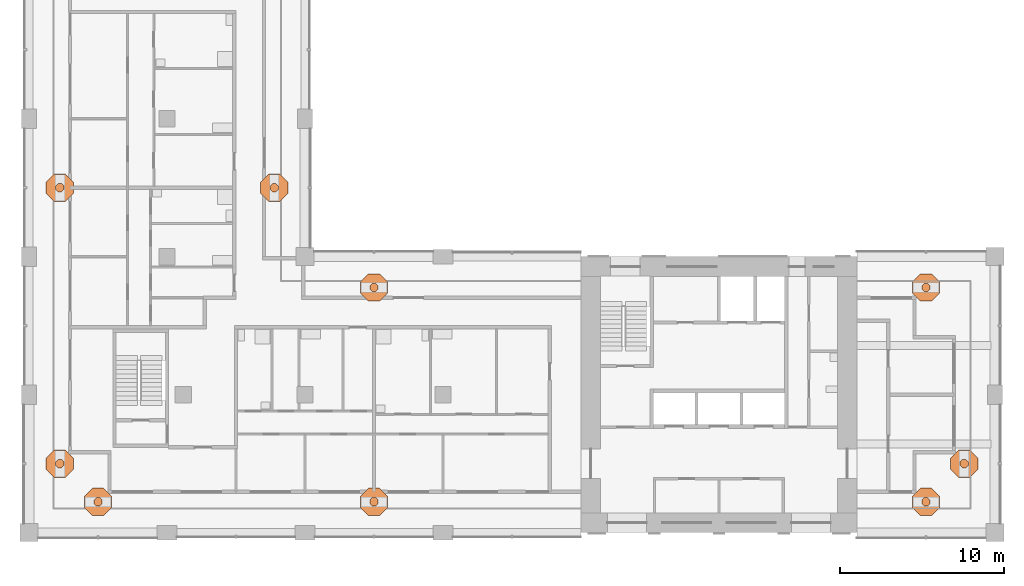
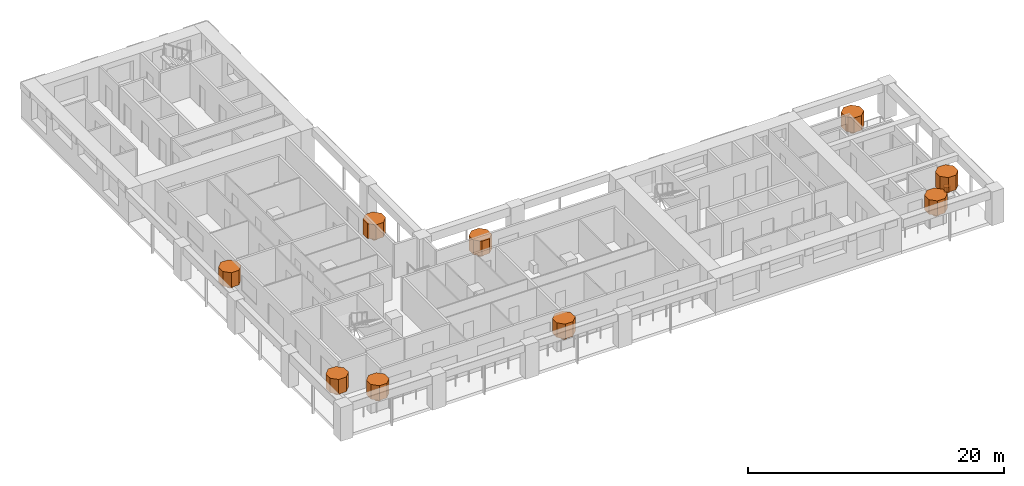
# One storey, part 13 of 13: 18 geographic elements.
"""IFC4 building model written with IfcOpenShell, lengths in metres."""

from ifc_helpers import new_model, si_unit, direction, frame, origin, place, context, subcontext, project, spatial, polyline, outline, extrude, material, element, save


model = new_model("IFC4")

# Units and contexts
model_context = context("Model", 3, precision=1e-05, world=origin(), true_north=direction((0.0, 1.0)))
body_context = subcontext(model_context, "Body", "Model", "MODEL_VIEW")
ifc_project = project(units=[si_unit("LENGTHUNIT", "METRE"), si_unit("AREAUNIT", "SQUARE_METRE"), si_unit("VOLUMEUNIT", "CUBIC_METRE"), si_unit("PLANEANGLEUNIT", "RADIAN"), si_unit("MASSUNIT", "GRAM", prefix="KILO")], contexts=[model_context])

# Site, building, storey
site_placement = place(None, origin())
site = spatial("IfcSite", under=ifc_project, at=site_placement, CompositionType="ELEMENT")
building_placement = place(site_placement, origin())
building = spatial("IfcBuilding", under=site, at=building_placement, Name="Vermilion Gate Residences", CompositionType="ELEMENT")
storey_placement = place(building_placement, frame((0.0, 0.0, 182.699951171875)))
storey = spatial("IfcBuildingStorey", under=building, at=storey_placement, Name="L47", CompositionType="ELEMENT", Elevation=182.699951171875)

# Geographic elements
ifc_material = material(Name="Foliage")
geographic_element_1_placement = place(storey_placement, frame((0.0, 0.0, 0.900146484375)))
element("IfcGeographicElement", 1, at=geographic_element_1_placement, inside=storey, material=ifc_material, Name="Tree (black pine)", ObjectType="TREE", PredefinedType="USERDEFINED", context=body_context, shape_type="SweptSolid", body=[
    extrude(outline(polyline([(12.85400390625, 10.380126953125), (12.705078125, 10.529052734375), (12.494873046875, 10.529052734375), (12.345947265625, 10.380126953125), (12.345947265625, 10.169921875), (12.494873046875, 10.02099609375), (12.705078125, 10.02099609375), (12.85400390625, 10.169921875), (12.85400390625, 10.380126953125)])), origin(), (0.0, 0.0, 1.0), 0.52001953125),
])
geographic_element_2_placement = place(storey_placement, frame((0.0, 0.0, 1.420166015625)))
element("IfcGeographicElement", 2, at=geographic_element_2_placement, inside=storey, material=ifc_material, Name="Tree crown (black pine)", ObjectType="TREE", PredefinedType="USERDEFINED", context=body_context, shape_type="SweptSolid", body=[
    extrude(outline(polyline([(13.431396484375, 10.619384765625), (12.9443359375, 11.1064453125), (12.255615234375, 11.1064453125), (11.7685546875, 10.619384765625), (11.7685546875, 9.9306640625), (12.255615234375, 9.443603515625), (12.9443359375, 9.443603515625), (13.431396484375, 9.9306640625), (13.431396484375, 10.619384765625)])), origin(), (0.0, 0.0, 1.0), 1.39990234375),
])
geographic_element_3_placement = place(storey_placement, frame((0.0, 0.0, 0.900146484375)))
element("IfcGeographicElement", 3, at=geographic_element_3_placement, inside=storey, material=ifc_material, Name="Tree (maple)", ObjectType="TREE", PredefinedType="USERDEFINED", context=body_context, shape_type="SweptSolid", body=[
    extrude(outline(polyline([(29.654052734375, 10.380126953125), (29.505126953125, 10.529052734375), (29.294921875, 10.529052734375), (29.14599609375, 10.380126953125), (29.14599609375, 10.169921875), (29.294921875, 10.02099609375), (29.505126953125, 10.02099609375), (29.654052734375, 10.169921875), (29.654052734375, 10.380126953125)])), origin(), (0.0, 0.0, 1.0), 0.52001953125),
])
geographic_element_4_placement = place(storey_placement, frame((0.0, 0.0, 1.420166015625)))
element("IfcGeographicElement", 4, at=geographic_element_4_placement, inside=storey, material=ifc_material, Name="Tree crown (maple)", ObjectType="TREE", PredefinedType="USERDEFINED", context=body_context, shape_type="SweptSolid", body=[
    extrude(outline(polyline([(30.2314453125, 10.619384765625), (29.744384765625, 11.1064453125), (29.0556640625, 11.1064453125), (28.568603515625, 10.619384765625), (28.568603515625, 9.9306640625), (29.0556640625, 9.443603515625), (29.744384765625, 9.443603515625), (30.2314453125, 9.9306640625), (30.2314453125, 10.619384765625)])), origin(), (0.0, 0.0, 1.0), 1.39990234375),
])
geographic_element_5_placement = place(storey_placement, frame((0.0, 0.0, 0.900146484375)))
element("IfcGeographicElement", 5, at=geographic_element_5_placement, inside=storey, material=ifc_material, Name="Tree (maple)", ObjectType="TREE", PredefinedType="USERDEFINED", context=body_context, shape_type="SweptSolid", body=[
    extrude(outline(polyline([(63.254150390625, 10.380126953125), (63.105224609375, 10.529052734375), (62.894775390625, 10.529052734375), (62.745849609375, 10.380126953125), (62.745849609375, 10.169921875), (62.894775390625, 10.02099609375), (63.105224609375, 10.02099609375), (63.254150390625, 10.169921875), (63.254150390625, 10.380126953125)])), origin(), (0.0, 0.0, 1.0), 0.52001953125),
])
geographic_element_6_placement = place(storey_placement, frame((0.0, 0.0, 1.420166015625)))
element("IfcGeographicElement", 6, at=geographic_element_6_placement, inside=storey, material=ifc_material, Name="Tree crown (maple)", ObjectType="TREE", PredefinedType="USERDEFINED", context=body_context, shape_type="SweptSolid", body=[
    extrude(outline(polyline([(63.83154296875, 10.619384765625), (63.344482421875, 11.1064453125), (62.655517578125, 11.1064453125), (62.16845703125, 10.619384765625), (62.16845703125, 9.9306640625), (62.655517578125, 9.443603515625), (63.344482421875, 9.443603515625), (63.83154296875, 9.9306640625), (63.83154296875, 10.619384765625)])), origin(), (0.0, 0.0, 1.0), 1.39990234375),
])
geographic_element_7_placement = place(storey_placement, frame((0.0, 0.0, 0.900146484375)))
element("IfcGeographicElement", 7, at=geographic_element_7_placement, inside=storey, material=ifc_material, Name="Tree (black pine)", ObjectType="TREE", PredefinedType="USERDEFINED", context=body_context, shape_type="SweptSolid", body=[
    extrude(outline(polyline([(65.5791015625, 12.705078125), (65.43017578125, 12.85400390625), (65.2197265625, 12.85400390625), (65.07080078125, 12.705078125), (65.07080078125, 12.494873046875), (65.2197265625, 12.345947265625), (65.43017578125, 12.345947265625), (65.5791015625, 12.494873046875), (65.5791015625, 12.705078125)])), origin(), (0.0, 0.0, 1.0), 0.52001953125),
])
geographic_element_8_placement = place(storey_placement, frame((0.0, 0.0, 1.420166015625)))
element("IfcGeographicElement", 8, at=geographic_element_8_placement, inside=storey, material=ifc_material, Name="Tree crown (black pine)", ObjectType="TREE", PredefinedType="USERDEFINED", context=body_context, shape_type="SweptSolid", body=[
    extrude(outline(polyline([(66.156494140625, 12.9443359375), (65.66943359375, 13.431396484375), (64.980712890625, 13.431396484375), (64.493408203125, 12.9443359375), (64.493408203125, 12.255615234375), (64.980712890625, 11.7685546875), (65.66943359375, 11.7685546875), (66.156494140625, 12.255615234375), (66.156494140625, 12.9443359375)])), origin(), (0.0, 0.0, 1.0), 1.39990234375),
])
geographic_element_9_placement = place(storey_placement, frame((0.0, 0.0, 0.900146484375)))
element("IfcGeographicElement", 9, at=geographic_element_9_placement, inside=storey, material=ifc_material, Name="Tree (maple)", ObjectType="TREE", PredefinedType="USERDEFINED", context=body_context, shape_type="SweptSolid", body=[
    extrude(outline(polyline([(29.654052734375, 23.43017578125), (29.505126953125, 23.5791015625), (29.294921875, 23.5791015625), (29.14599609375, 23.43017578125), (29.14599609375, 23.2197265625), (29.294921875, 23.07080078125), (29.505126953125, 23.07080078125), (29.654052734375, 23.2197265625), (29.654052734375, 23.43017578125)])), origin(), (0.0, 0.0, 1.0), 0.52001953125),
])
geographic_element_10_placement = place(storey_placement, frame((0.0, 0.0, 1.420166015625)))
element("IfcGeographicElement", 10, at=geographic_element_10_placement, inside=storey, material=ifc_material, Name="Tree crown (maple)", ObjectType="TREE", PredefinedType="USERDEFINED", context=body_context, shape_type="SweptSolid", body=[
    extrude(outline(polyline([(30.2314453125, 23.66943359375), (29.744384765625, 24.156494140625), (29.0556640625, 24.156494140625), (28.568603515625, 23.66943359375), (28.568603515625, 22.980712890625), (29.0556640625, 22.493408203125), (29.744384765625, 22.493408203125), (30.2314453125, 22.980712890625), (30.2314453125, 23.66943359375)])), origin(), (0.0, 0.0, 1.0), 1.39990234375),
])
geographic_element_11_placement = place(storey_placement, frame((0.0, 0.0, 0.900146484375)))
element("IfcGeographicElement", 11, at=geographic_element_11_placement, inside=storey, material=ifc_material, Name="Tree (maple)", ObjectType="TREE", PredefinedType="USERDEFINED", context=body_context, shape_type="SweptSolid", body=[
    extrude(outline(polyline([(63.254150390625, 23.43017578125), (63.105224609375, 23.5791015625), (62.894775390625, 23.5791015625), (62.745849609375, 23.43017578125), (62.745849609375, 23.2197265625), (62.894775390625, 23.07080078125), (63.105224609375, 23.07080078125), (63.254150390625, 23.2197265625), (63.254150390625, 23.43017578125)])), origin(), (0.0, 0.0, 1.0), 0.52001953125),
])
geographic_element_12_placement = place(storey_placement, frame((0.0, 0.0, 1.420166015625)))
element("IfcGeographicElement", 12, at=geographic_element_12_placement, inside=storey, material=ifc_material, Name="Tree crown (maple)", ObjectType="TREE", PredefinedType="USERDEFINED", context=body_context, shape_type="SweptSolid", body=[
    extrude(outline(polyline([(63.83154296875, 23.66943359375), (63.344482421875, 24.156494140625), (62.655517578125, 24.156494140625), (62.16845703125, 23.66943359375), (62.16845703125, 22.980712890625), (62.655517578125, 22.493408203125), (63.344482421875, 22.493408203125), (63.83154296875, 22.980712890625), (63.83154296875, 23.66943359375)])), origin(), (0.0, 0.0, 1.0), 1.39990234375),
])
geographic_element_13_placement = place(storey_placement, frame((0.0, 0.0, 0.900146484375)))
element("IfcGeographicElement", 13, at=geographic_element_13_placement, inside=storey, material=ifc_material, Name="Tree (maple)", ObjectType="TREE", PredefinedType="USERDEFINED", context=body_context, shape_type="SweptSolid", body=[
    extrude(outline(polyline([(23.5791015625, 29.505126953125), (23.43017578125, 29.654052734375), (23.2197265625, 29.654052734375), (23.07080078125, 29.505126953125), (23.07080078125, 29.294921875), (23.2197265625, 29.14599609375), (23.43017578125, 29.14599609375), (23.5791015625, 29.294921875), (23.5791015625, 29.505126953125)])), origin(), (0.0, 0.0, 1.0), 0.52001953125),
])
geographic_element_14_placement = place(storey_placement, frame((0.0, 0.0, 1.420166015625)))
element("IfcGeographicElement", 14, at=geographic_element_14_placement, inside=storey, material=ifc_material, Name="Tree crown (maple)", ObjectType="TREE", PredefinedType="USERDEFINED", context=body_context, shape_type="SweptSolid", body=[
    extrude(outline(polyline([(24.156494140625, 29.744384765625), (23.66943359375, 30.2314453125), (22.980712890625, 30.2314453125), (22.493408203125, 29.744384765625), (22.493408203125, 29.0556640625), (22.980712890625, 28.568603515625), (23.66943359375, 28.568603515625), (24.156494140625, 29.0556640625), (24.156494140625, 29.744384765625)])), origin(), (0.0, 0.0, 1.0), 1.39990234375),
])
geographic_element_15_placement = place(storey_placement, frame((0.0, 0.0, 0.900146484375)))
element("IfcGeographicElement", 15, at=geographic_element_15_placement, inside=storey, material=ifc_material, Name="Tree (black pine)", ObjectType="TREE", PredefinedType="USERDEFINED", context=body_context, shape_type="SweptSolid", body=[
    extrude(outline(polyline([(10.529052734375, 12.705078125), (10.380126953125, 12.85400390625), (10.169921875, 12.85400390625), (10.02099609375, 12.705078125), (10.02099609375, 12.494873046875), (10.169921875, 12.345947265625), (10.380126953125, 12.345947265625), (10.529052734375, 12.494873046875), (10.529052734375, 12.705078125)])), origin(), (0.0, 0.0, 1.0), 0.52001953125),
])
geographic_element_16_placement = place(storey_placement, frame((0.0, 0.0, 1.420166015625)))
element("IfcGeographicElement", 16, at=geographic_element_16_placement, inside=storey, material=ifc_material, Name="Tree crown (black pine)", ObjectType="TREE", PredefinedType="USERDEFINED", context=body_context, shape_type="SweptSolid", body=[
    extrude(outline(polyline([(11.1064453125, 12.9443359375), (10.619384765625, 13.431396484375), (9.9306640625, 13.431396484375), (9.443603515625, 12.9443359375), (9.443603515625, 12.255615234375), (9.9306640625, 11.7685546875), (10.619384765625, 11.7685546875), (11.1064453125, 12.255615234375), (11.1064453125, 12.9443359375)])), origin(), (0.0, 0.0, 1.0), 1.39990234375),
])
geographic_element_17_placement = place(storey_placement, frame((0.0, 0.0, 0.900146484375)))
element("IfcGeographicElement", 17, at=geographic_element_17_placement, inside=storey, material=ifc_material, Name="Tree (maple)", ObjectType="TREE", PredefinedType="USERDEFINED", context=body_context, shape_type="SweptSolid", body=[
    extrude(outline(polyline([(10.529052734375, 29.505126953125), (10.380126953125, 29.654052734375), (10.169921875, 29.654052734375), (10.02099609375, 29.505126953125), (10.02099609375, 29.294921875), (10.169921875, 29.14599609375), (10.380126953125, 29.14599609375), (10.529052734375, 29.294921875), (10.529052734375, 29.505126953125)])), origin(), (0.0, 0.0, 1.0), 0.52001953125),
])
geographic_element_18_placement = place(storey_placement, frame((0.0, 0.0, 1.420166015625)))
element("IfcGeographicElement", 18, at=geographic_element_18_placement, inside=storey, material=ifc_material, Name="Tree crown (maple)", ObjectType="TREE", PredefinedType="USERDEFINED", context=body_context, shape_type="SweptSolid", body=[
    extrude(outline(polyline([(11.1064453125, 29.744384765625), (10.619384765625, 30.2314453125), (9.9306640625, 30.2314453125), (9.443603515625, 29.744384765625), (9.443603515625, 29.0556640625), (9.9306640625, 28.568603515625), (10.619384765625, 28.568603515625), (11.1064453125, 29.0556640625), (11.1064453125, 29.744384765625)])), origin(), (0.0, 0.0, 1.0), 1.39990234375),
])

save(model, "model.ifc")
